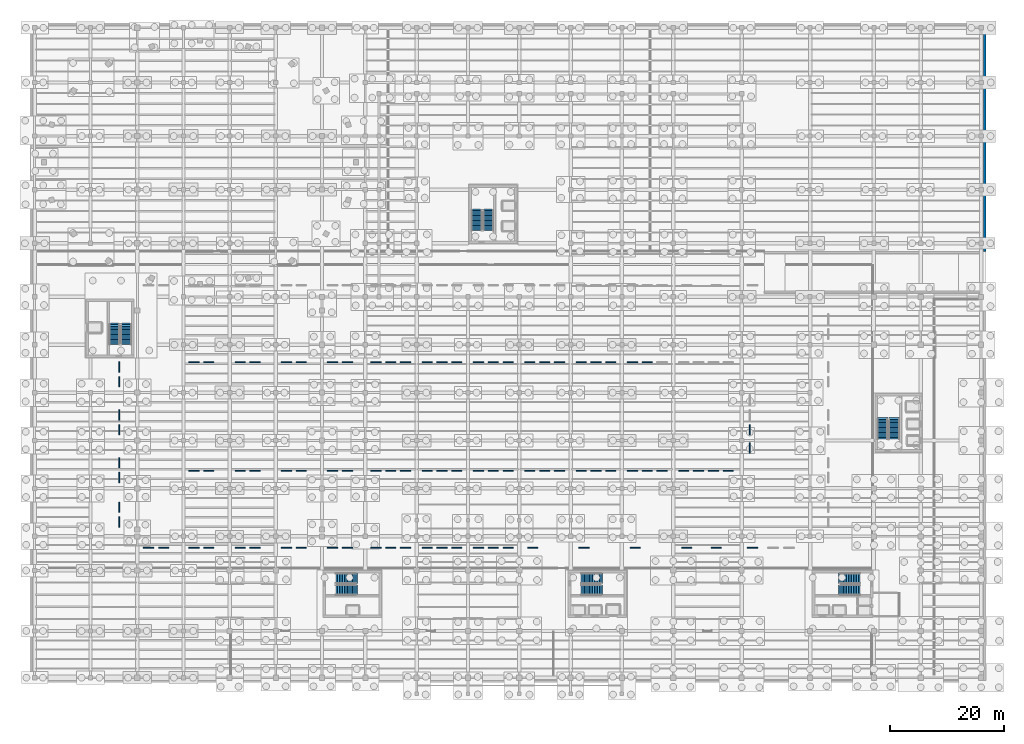
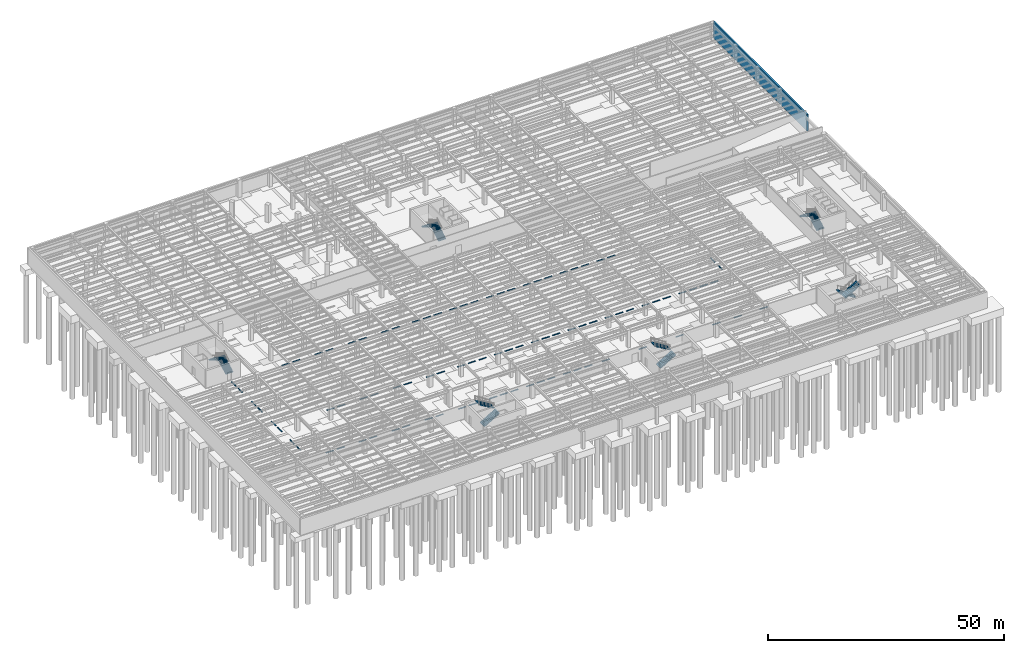
# One storey, part 41 of 49: 90 discrete accessories, 12 stair flights, 1 wall, 6 elements without a shape of their own.
"""IFC4 building model written with IfcOpenShell, lengths in metres."""

import ifcopenshell
import ifcopenshell.guid

model = None  # the IFC model being written
_history = None  # IfcOwnerHistory: only IFC2X3 demands one
_inside = {}  # id of a spatial element -> (the spatial element, [elements in it])
_under = {}  # id of a project, library or spatial element -> (it, [spatial elements below it])
_declared = {}  # id of a project -> (the project, [libraries it declares])
_typed = {}  # id of a type object -> (the type object, [elements of that type])
_made_of = {}  # id of a material, layer set ... -> (it, [elements and type objects made of it])


def new_model(schema):
    """Start an empty IFC model of exactly this schema.

    Asked for "IFC4X3", IfcOpenShell would pick the latest addendum, in which some entities
    have other attributes; the version numbers below select the first issue.
    IFC2X3 requires an IfcOwnerHistory on every rooted entity: one is made here for all.
    """
    global model, _history
    if schema == "IFC4X3":
        model = ifcopenshell.file(schema_version=(4, 3, 0, 0))
    else:
        model = ifcopenshell.file(schema=schema)
    _inside.clear()
    _under.clear()
    _declared.clear()
    _typed.clear()
    _made_of.clear()
    _history = None
    if model.schema == "IFC2X3":
        org = make("IfcOrganization", Name="unknown")
        user = make(
            "IfcPersonAndOrganization",
            ThePerson=make("IfcPerson", FamilyName="unknown"),
            TheOrganization=org,
        )
        app = make(
            "IfcApplication",
            ApplicationDeveloper=org,
            Version="unknown",
            ApplicationFullName="unknown",
            ApplicationIdentifier="unknown",
        )
        _history = make(
            "IfcOwnerHistory",
            OwningUser=user,
            OwningApplication=app,
            ChangeAction="ADDED",
            CreationDate=0,
        )
    return model


def make(cls, **values):
    """One entity of the class cls with the attributes given. An attribute that is None is left unset."""
    return model.create_entity(
        cls, **{name: value for name, value in values.items() if value is not None}
    )


def rooted(cls, **values):
    """An entity with a GlobalId (a new one), such as an element, a storey or a relation."""
    return make(cls, GlobalId=ifcopenshell.guid.new(), OwnerHistory=_history, **values)


def si_unit(unit_type, name, prefix=None):
    """IfcSIUnit, for example si_unit("LENGTHUNIT", "METRE", prefix="MILLI")."""
    return make("IfcSIUnit", UnitType=unit_type, Prefix=prefix, Name=name)


def assignment(units):
    """IfcUnitAssignment: the units of a project."""
    return None if units is None else make("IfcUnitAssignment", Units=units)


def point(xyz):
    """IfcCartesianPoint."""
    return None if xyz is None else make("IfcCartesianPoint", Coordinates=xyz)


def direction(xyz):
    """IfcDirection."""
    return None if xyz is None else make("IfcDirection", DirectionRatios=xyz)


def frame(location, z_axis=None, x_axis=None):
    """IfcAxis2Placement3D, a coordinate frame: its origin and axes. An axis left out is left unset."""
    return make(
        "IfcAxis2Placement3D",
        Location=point(location),
        Axis=direction(z_axis),
        RefDirection=direction(x_axis),
    )


def frame_2d(location, x_axis=None):
    """IfcAxis2Placement2D, a coordinate frame in the plane: its origin and x axis."""
    return make(
        "IfcAxis2Placement2D", Location=point(location), RefDirection=direction(x_axis)
    )


def origin():
    """The frame at (0, 0, 0) with its axes left unset."""
    return frame((0.0, 0.0, 0.0))


def origin_2d():
    """The frame at (0, 0) in the plane with its x axis left unset."""
    return frame_2d((0.0, 0.0))


def place(relative_to, where):
    """IfcLocalPlacement: puts the frame where relative to a parent placement (None: the world)."""
    return make(
        "IfcLocalPlacement", PlacementRelTo=relative_to, RelativePlacement=where
    )


def context(
    kind, dimensions, precision=None, world=None, true_north=None, identifier=None
):
    """IfcGeometricRepresentationContext, for example the 3D "Model" context."""
    return make(
        "IfcGeometricRepresentationContext",
        ContextIdentifier=identifier,
        ContextType=kind,
        CoordinateSpaceDimension=dimensions,
        Precision=precision,
        WorldCoordinateSystem=world,
        TrueNorth=true_north,
    )


def subcontext(parent, identifier, kind, view, scale=None):
    """IfcGeometricRepresentationSubContext, for example "Body" below "Model"."""
    return make(
        "IfcGeometricRepresentationSubContext",
        ContextIdentifier=identifier,
        ContextType=kind,
        ParentContext=parent,
        TargetScale=scale,
        TargetView=view,
    )


def project(units=None, contexts=None):
    """IfcProject with its units and contexts."""
    return rooted(
        "IfcProject",
        Name="project",
        RepresentationContexts=contexts,
        UnitsInContext=assignment(units),
    )


def spatial(cls, under=None, at=None, **own):
    """A site, building, storey or space (cls), placed at a placement, below another one or the project."""
    s = rooted(cls, ObjectPlacement=at, **own)
    if under is not None:
        _under.setdefault(under.id(), (under, []))[1].append(s)
    return s


def polyline(points):
    """IfcPolyline through the points."""
    return make("IfcPolyline", Points=[point(p) for p in points])


def profile(cls, at=None, kind="AREA", **sizes):
    """A parametric profile (cls). Its sizes go by their IFC names, for example OverallWidth=200.0."""
    return make(cls, ProfileType=kind, Position=at, **sizes)


def rectangle(**sizes):
    """IfcRectangleProfileDef."""
    return profile("IfcRectangleProfileDef", **sizes)


def outline(outer, holes=None, kind="AREA"):
    """IfcArbitraryClosedProfileDef: a profile drawn as a closed curve; with holes, ...WithVoids."""
    if holes is None:
        return make("IfcArbitraryClosedProfileDef", ProfileType=kind, OuterCurve=outer)
    return make(
        "IfcArbitraryProfileDefWithVoids",
        ProfileType=kind,
        OuterCurve=outer,
        InnerCurves=holes,
    )


def extrude(swept, where, along, depth):
    """IfcExtrudedAreaSolid: the profile swept, set in the frame where, extruded along a direction by depth."""
    return make(
        "IfcExtrudedAreaSolid",
        SweptArea=swept,
        Position=where,
        ExtrudedDirection=direction(along),
        Depth=depth,
    )


def shape(context_of_items, identifier, shape_type, items):
    """IfcShapeRepresentation: the items that make up one representation, for example the "Body"."""
    return make(
        "IfcShapeRepresentation",
        ContextOfItems=context_of_items,
        RepresentationIdentifier=identifier,
        RepresentationType=shape_type,
        Items=items,
    )


def material(Name=None, Category=None):
    """IfcMaterial."""
    return make("IfcMaterial", Name=Name, Category=Category)


def layer(
    of_material, thickness, ventilated=None, Name=None, Category=None, Priority=None
):
    """IfcMaterialLayer: one layer of a wall or slab, of a material (None: an air gap)."""
    return make(
        "IfcMaterialLayer",
        Material=of_material,
        LayerThickness=thickness,
        IsVentilated=ventilated,
        Name=Name,
        Category=Category,
        Priority=Priority,
    )


def layer_set(layers, Name=None):
    """IfcMaterialLayerSet."""
    return make("IfcMaterialLayerSet", MaterialLayers=layers, LayerSetName=Name)


def made_of(thing, what):
    """Note that an element or type object is made of a material, layer set ...; save() writes the relation."""
    if what is not None:
        _made_of.setdefault(what.id(), (what, []))[1].append(thing)
    return thing


def type_object(cls, material=None, **own):
    """A type object (cls), such as IfcWallType, which elements share."""
    return made_of(rooted(cls, **own), material)


def element(
    cls,
    number,
    at=None,
    inside=None,
    cuts=None,
    type_object=None,
    material=None,
    context=None,
    identifier="Body",
    shape_type=None,
    held_by="IfcProductDefinitionShape",
    body=None,
    shapes=None,
    **own,
):
    """One element of the class cls, such as IfcWall. Its Tag is "e" and its number.

    at: its placement. inside: the storey or other place that contains it. cuts: it is an
    opening in that element (IfcRelVoidsElement). A single representation is given by context,
    identifier, shape_type and body (its items); several are given by shapes. held_by: the class
    of the entity that holds the representations. save() writes the other relations.
    """
    e = rooted(cls, Tag="e%d" % number, ObjectPlacement=at, **own)
    if body is not None:
        shapes = [shape(context, identifier, shape_type, body)]
    if shapes is not None:
        e.Representation = make(held_by, Representations=shapes)
    if inside is not None:
        _inside.setdefault(inside.id(), (inside, []))[1].append(e)
    if cuts is not None:
        rooted(
            "IfcRelVoidsElement", RelatingBuildingElement=cuts, RelatedOpeningElement=e
        )
    if type_object is not None:
        _typed.setdefault(type_object.id(), (type_object, []))[1].append(e)
    return made_of(e, material)


def aggregate(whole, parts):
    """IfcRelAggregates: a whole, such as a stair, and the parts it consists of."""
    return rooted("IfcRelAggregates", RelatingObject=whole, RelatedObjects=parts)


def save(model, path):
    """Write the relations noted so far, then the file.

    IfcRelAggregates (storeys below a building ...), IfcRelContainedInSpatialStructure (elements
    in a storey), IfcRelDefinesByType, IfcRelAssociatesMaterial and IfcRelDeclares: one each for
    every whole, place, type object, material and project.
    """
    for whole, parts in _under.values():
        aggregate(whole, parts)
    for where, things in _inside.values():
        rooted(
            "IfcRelContainedInSpatialStructure",
            RelatedElements=things,
            RelatingStructure=where,
        )
    for kind, things in _typed.values():
        rooted("IfcRelDefinesByType", RelatedObjects=things, RelatingType=kind)
    for what, things in _made_of.values():
        rooted("IfcRelAssociatesMaterial", RelatedObjects=things, RelatingMaterial=what)
    for by, libraries in _declared.values():
        rooted("IfcRelDeclares", RelatingContext=by, RelatedDefinitions=libraries)
    model.write(path)


model = new_model("IFC4")

# Units and contexts
model_context = context("Model", 3, precision=1e-05, world=origin(), true_north=direction((0.0, 1.0)))
body_context = subcontext(model_context, "Body", "Model", "MODEL_VIEW")
ifc_project = project(units=[si_unit("LENGTHUNIT", "METRE"), si_unit("AREAUNIT", "SQUARE_METRE"), si_unit("VOLUMEUNIT", "CUBIC_METRE"), si_unit("PLANEANGLEUNIT", "RADIAN"), si_unit("MASSUNIT", "GRAM", prefix="KILO")], contexts=[model_context])

# Site, building, storey
site_placement = place(None, origin())
site = spatial("IfcSite", under=ifc_project, at=site_placement, CompositionType="ELEMENT")
building_placement = place(site_placement, origin())
building = spatial("IfcBuilding", under=site, at=building_placement, Name="Sollismere Congress Hotel", CompositionType="ELEMENT")
storey_placement = place(building_placement, frame((0.0, 0.0, -4.5)))
storey = spatial("IfcBuildingStorey", under=building, at=storey_placement, Name="B1", CompositionType="ELEMENT", Elevation=-4.5)

# Wall
ifc_material = material(Name="Concrete C40/50", Category="concrete")
ifc_layer = layer(ifc_material, 0.39990234375, Name="Concrete C40/50")
ifc_layer_set = layer_set([ifc_layer], Name="Concrete C40/50")
wall_type = type_object("IfcWallType", Name="WL-RET400", PredefinedType="USERDEFINED", material=ifc_layer_set)
wall_placement = place(storey_placement, frame((166.64990234375, 74.75, 0.0), z_axis=(0.0, 0.0, 1.0), x_axis=(0.0, 1.0, 0.0)))
element("IfcWall", 1, at=wall_placement, inside=storey, type_object=wall_type, Name="Exterior wall EW-B1-005", ObjectType="RETAINING WALL", PredefinedType="USERDEFINED", context=body_context, shape_type="SweptSolid", body=[
    extrude(rectangle(XDim=39.699951171875, YDim=0.39990234375, at=frame_2d((19.85009765625, 0.0))), origin(), (0.0, 0.0, 1.0), 4.235107421875),
])

# Stair, stair flights
stair_type = type_object("IfcStairType", Name="STR-DL-450", PredefinedType="HALF_TURN_STAIR", material=ifc_material)
stair_1_placement = place(storey_placement, origin())
stair_1 = element("IfcStair", 2, at=stair_1_placement, inside=storey, type_object=stair_type, Name="Protected exit stair ST-01-B1", PredefinedType="HALF_TURN_STAIR")
stair_flight_type = type_object("IfcStairFlightType", Name="STF-DL-450", PredefinedType="STRAIGHT", material=ifc_material)
stair_flight_1_placement = place(storey_placement, frame((144.75, 17.425048828125, 0.0), z_axis=(0.0, 0.0, 1.0), x_axis=(-1.0, 0.0, 0.0)))
stair_flight_1 = element("IfcStairFlight", 3, at=stair_flight_1_placement, type_object=stair_flight_type, Name="Exit stair flight ST-01-B1-F1", NumberOfRisers=13, NumberOfTreads=13, PredefinedType="STRAIGHT", RiserHeight=0.173095703125, TreadLength=0.2900390625, context=body_context, shape_type="SweptSolid", body=[
    extrude(outline(polyline([(0.0, 0.0), (0.0, 0.173095703125), (0.2900390625, 0.173095703125), (0.2900390625, 0.34619140625), (0.580078125, 0.34619140625), (0.580078125, 0.519287109375), (0.8701171875, 0.519287109375), (0.8701171875, 0.6923828125), (1.16015625, 0.6923828125), (1.16015625, 0.865478515625), (1.4501953125, 0.865478515625), (1.4501953125, 1.03857421875), (1.740234375, 1.03857421875), (1.740234375, 1.211669921875), (2.0302734375, 1.211669921875), (2.0302734375, 1.384765625), (2.3203125, 1.384765625), (2.3203125, 1.557861328125), (2.6103515625, 1.557861328125), (2.6103515625, 1.73095703125), (2.900390625, 1.73095703125), (2.900390625, 1.904052734375), (3.1904296875, 1.904052734375), (3.1904296875, 2.0771484375), (3.48046875, 2.0771484375), (3.48046875, 2.250244140625), (3.7705078125, 2.250244140625), (3.7705078125, 2.06396484375), (0.31201171875, 0.0), (0.0, 0.0)])), frame((0.0, 0.925048828125, 0.0), z_axis=(0.0, -1.0, 0.0), x_axis=(1.0, 0.0, 0.0)), (0.0, 0.0, 1.0), 1.85009765625),
])
stair_flight_2_placement = place(storey_placement, frame((140.97998046875, 15.375, 2.25), z_axis=(0.0, 0.0, 1.0), x_axis=(1.0, 0.0, 0.0)))
stair_flight_2 = element("IfcStairFlight", 4, at=stair_flight_2_placement, type_object=stair_flight_type, Name="Exit stair flight ST-01-B1-F2", NumberOfRisers=13, NumberOfTreads=13, PredefinedType="STRAIGHT", RiserHeight=0.173095703125, TreadLength=0.2900390625, context=body_context, shape_type="SweptSolid", body=[
    extrude(outline(polyline([(0.0, 0.0), (0.0, 0.173095703125), (0.2900390625, 0.173095703125), (0.2900390625, 0.34619140625), (0.580078125, 0.34619140625), (0.580078125, 0.519287109375), (0.8701171875, 0.519287109375), (0.8701171875, 0.6923828125), (1.16015625, 0.6923828125), (1.16015625, 0.865478515625), (1.4501953125, 0.865478515625), (1.4501953125, 1.03857421875), (1.740234375, 1.03857421875), (1.740234375, 1.211669921875), (2.0302734375, 1.211669921875), (2.0302734375, 1.384765625), (2.3203125, 1.384765625), (2.3203125, 1.557861328125), (2.6103515625, 1.557861328125), (2.6103515625, 1.73095703125), (2.900390625, 1.73095703125), (2.900390625, 1.904052734375), (3.1904296875, 1.904052734375), (3.1904296875, 2.0771484375), (3.48046875, 2.0771484375), (3.48046875, 2.250244140625), (3.7705078125, 2.250244140625), (3.7705078125, 2.06396484375), (0.31201171875, 0.0), (0.0, 0.0)])), frame((0.0, 0.925048828125, 0.0), z_axis=(0.0, -1.0, 0.0), x_axis=(1.0, 0.0, 0.0)), (0.0, 0.0, 1.0), 1.85009765625),
])
aggregate(stair_1, [stair_flight_1, stair_flight_2])

stair_2_placement = place(storey_placement, origin())
stair_2 = element("IfcStair", 5, at=stair_2_placement, inside=storey, type_object=stair_type, Name="Protected exit stair ST-02-B1", PredefinedType="HALF_TURN_STAIR")
stair_flight_3_placement = place(storey_placement, frame((95.85009765625, 15.375, 0.0), z_axis=(0.0, 0.0, 1.0), x_axis=(1.0, 0.0, 0.0)))
stair_flight_3 = element("IfcStairFlight", 6, at=stair_flight_3_placement, type_object=stair_flight_type, Name="Exit stair flight ST-02-B1-F1", NumberOfRisers=13, NumberOfTreads=13, PredefinedType="STRAIGHT", RiserHeight=0.173095703125, TreadLength=0.2900390625, context=body_context, shape_type="SweptSolid", body=[
    extrude(outline(polyline([(0.0, 0.0), (0.0, 0.173095703125), (0.2900390625, 0.173095703125), (0.2900390625, 0.34619140625), (0.580078125, 0.34619140625), (0.580078125, 0.519287109375), (0.8701171875, 0.519287109375), (0.8701171875, 0.6923828125), (1.16015625, 0.6923828125), (1.16015625, 0.865478515625), (1.4501953125, 0.865478515625), (1.4501953125, 1.03857421875), (1.740234375, 1.03857421875), (1.740234375, 1.211669921875), (2.0302734375, 1.211669921875), (2.0302734375, 1.384765625), (2.3203125, 1.384765625), (2.3203125, 1.557861328125), (2.6103515625, 1.557861328125), (2.6103515625, 1.73095703125), (2.900390625, 1.73095703125), (2.900390625, 1.904052734375), (3.1904296875, 1.904052734375), (3.1904296875, 2.0771484375), (3.48046875, 2.0771484375), (3.48046875, 2.250244140625), (3.7705078125, 2.250244140625), (3.7705078125, 2.06396484375), (0.31201171875, 0.0), (0.0, 0.0)])), frame((0.0, 0.925048828125, 0.0), z_axis=(0.0, -1.0, 0.0), x_axis=(1.0, 0.0, 0.0)), (0.0, 0.0, 1.0), 1.85009765625),
])
stair_flight_4_placement = place(storey_placement, frame((99.6201171875, 17.425048828125, 2.25), z_axis=(0.0, 0.0, 1.0), x_axis=(-1.0, 0.0, 0.0)))
stair_flight_4 = element("IfcStairFlight", 7, at=stair_flight_4_placement, type_object=stair_flight_type, Name="Exit stair flight ST-02-B1-F2", NumberOfRisers=13, NumberOfTreads=13, PredefinedType="STRAIGHT", RiserHeight=0.173095703125, TreadLength=0.2900390625, context=body_context, shape_type="SweptSolid", body=[
    extrude(outline(polyline([(0.0, 0.0), (0.0, 0.173095703125), (0.2900390625, 0.173095703125), (0.2900390625, 0.34619140625), (0.580078125, 0.34619140625), (0.580078125, 0.519287109375), (0.8701171875, 0.519287109375), (0.8701171875, 0.6923828125), (1.16015625, 0.6923828125), (1.16015625, 0.865478515625), (1.4501953125, 0.865478515625), (1.4501953125, 1.03857421875), (1.740234375, 1.03857421875), (1.740234375, 1.211669921875), (2.0302734375, 1.211669921875), (2.0302734375, 1.384765625), (2.3203125, 1.384765625), (2.3203125, 1.557861328125), (2.6103515625, 1.557861328125), (2.6103515625, 1.73095703125), (2.900390625, 1.73095703125), (2.900390625, 1.904052734375), (3.1904296875, 1.904052734375), (3.1904296875, 2.0771484375), (3.48046875, 2.0771484375), (3.48046875, 2.250244140625), (3.7705078125, 2.250244140625), (3.7705078125, 2.06396484375), (0.31201171875, 0.0), (0.0, 0.0)])), frame((0.0, 0.925048828125, 0.0), z_axis=(0.0, -1.0, 0.0), x_axis=(1.0, 0.0, 0.0)), (0.0, 0.0, 1.0), 1.85009765625),
])
aggregate(stair_2, [stair_flight_3, stair_flight_4])

stair_3_placement = place(storey_placement, origin())
stair_3 = element("IfcStair", 8, at=stair_3_placement, inside=storey, type_object=stair_type, Name="Protected exit stair ST-03-B1", PredefinedType="HALF_TURN_STAIR")
stair_flight_5_placement = place(storey_placement, frame((150.77490234375, 41.85009765625, 0.0), z_axis=(0.0, 0.0, 1.0), x_axis=(0.0, 1.0, 0.0)))
stair_flight_5 = element("IfcStairFlight", 9, at=stair_flight_5_placement, type_object=stair_flight_type, Name="Exit stair flight ST-03-B1-F1", NumberOfRisers=13, NumberOfTreads=13, PredefinedType="STRAIGHT", RiserHeight=0.173095703125, TreadLength=0.2900390625, context=body_context, shape_type="SweptSolid", body=[
    extrude(outline(polyline([(0.0, 0.0), (0.0, 0.173095703125), (0.2900390625, 0.173095703125), (0.2900390625, 0.34619140625), (0.580078125, 0.34619140625), (0.580078125, 0.519287109375), (0.8701171875, 0.519287109375), (0.8701171875, 0.6923828125), (1.16015625, 0.6923828125), (1.16015625, 0.865478515625), (1.4501953125, 0.865478515625), (1.4501953125, 1.03857421875), (1.740234375, 1.03857421875), (1.740234375, 1.211669921875), (2.0302734375, 1.211669921875), (2.0302734375, 1.384765625), (2.3203125, 1.384765625), (2.3203125, 1.557861328125), (2.6103515625, 1.557861328125), (2.6103515625, 1.73095703125), (2.900390625, 1.73095703125), (2.900390625, 1.904052734375), (3.1904296875, 1.904052734375), (3.1904296875, 2.0771484375), (3.48046875, 2.0771484375), (3.48046875, 2.250244140625), (3.7705078125, 2.250244140625), (3.7705078125, 2.06396484375), (0.31201171875, 0.0), (0.0, 0.0)])), frame((0.0, 0.925048828125, 0.0), z_axis=(0.0, -1.0, 0.0), x_axis=(1.0, 0.0, 0.0)), (0.0, 0.0, 1.0), 1.85009765625),
])
stair_flight_6_placement = place(storey_placement, frame((148.72509765625, 45.6201171875, 2.25), z_axis=(0.0, 0.0, 1.0), x_axis=(0.0, -1.0, 0.0)))
stair_flight_6 = element("IfcStairFlight", 10, at=stair_flight_6_placement, type_object=stair_flight_type, Name="Exit stair flight ST-03-B1-F2", NumberOfRisers=13, NumberOfTreads=13, PredefinedType="STRAIGHT", RiserHeight=0.173095703125, TreadLength=0.2900390625, context=body_context, shape_type="SweptSolid", body=[
    extrude(outline(polyline([(0.0, 0.0), (0.0, 0.173095703125), (0.2900390625, 0.173095703125), (0.2900390625, 0.34619140625), (0.580078125, 0.34619140625), (0.580078125, 0.519287109375), (0.8701171875, 0.519287109375), (0.8701171875, 0.6923828125), (1.16015625, 0.6923828125), (1.16015625, 0.865478515625), (1.4501953125, 0.865478515625), (1.4501953125, 1.03857421875), (1.740234375, 1.03857421875), (1.740234375, 1.211669921875), (2.0302734375, 1.211669921875), (2.0302734375, 1.384765625), (2.3203125, 1.384765625), (2.3203125, 1.557861328125), (2.6103515625, 1.557861328125), (2.6103515625, 1.73095703125), (2.900390625, 1.73095703125), (2.900390625, 1.904052734375), (3.1904296875, 1.904052734375), (3.1904296875, 2.0771484375), (3.48046875, 2.0771484375), (3.48046875, 2.250244140625), (3.7705078125, 2.250244140625), (3.7705078125, 2.06396484375), (0.31201171875, 0.0), (0.0, 0.0)])), frame((0.0, 0.925048828125, 0.0), z_axis=(0.0, -1.0, 0.0), x_axis=(1.0, 0.0, 0.0)), (0.0, 0.0, 1.0), 1.85009765625),
])
aggregate(stair_3, [stair_flight_5, stair_flight_6])

stair_4_placement = place(storey_placement, origin())
stair_4 = element("IfcStair", 11, at=stair_4_placement, inside=storey, type_object=stair_type, Name="Protected exit stair ST-04-B1", PredefinedType="HALF_TURN_STAIR")
stair_flight_7_placement = place(storey_placement, frame((79.574951171875, 78.449951171875, 0.0), z_axis=(0.0, 0.0, 1.0), x_axis=(0.0, 1.0, 0.0)))
stair_flight_7 = element("IfcStairFlight", 12, at=stair_flight_7_placement, type_object=stair_flight_type, Name="Exit stair flight ST-04-B1-F1", NumberOfRisers=13, NumberOfTreads=13, PredefinedType="STRAIGHT", RiserHeight=0.173095703125, TreadLength=0.2900390625, context=body_context, shape_type="SweptSolid", body=[
    extrude(outline(polyline([(0.0, 0.0), (0.0, 0.173095703125), (0.2900390625, 0.173095703125), (0.2900390625, 0.34619140625), (0.580078125, 0.34619140625), (0.580078125, 0.519287109375), (0.8701171875, 0.519287109375), (0.8701171875, 0.6923828125), (1.16015625, 0.6923828125), (1.16015625, 0.865478515625), (1.4501953125, 0.865478515625), (1.4501953125, 1.03857421875), (1.740234375, 1.03857421875), (1.740234375, 1.211669921875), (2.0302734375, 1.211669921875), (2.0302734375, 1.384765625), (2.3203125, 1.384765625), (2.3203125, 1.557861328125), (2.6103515625, 1.557861328125), (2.6103515625, 1.73095703125), (2.900390625, 1.73095703125), (2.900390625, 1.904052734375), (3.1904296875, 1.904052734375), (3.1904296875, 2.0771484375), (3.48046875, 2.0771484375), (3.48046875, 2.250244140625), (3.7705078125, 2.250244140625), (3.7705078125, 2.06396484375), (0.31201171875, 0.0), (0.0, 0.0)])), frame((0.0, 0.925048828125, 0.0), z_axis=(0.0, -1.0, 0.0), x_axis=(1.0, 0.0, 0.0)), (0.0, 0.0, 1.0), 1.85009765625),
])
stair_flight_8_placement = place(storey_placement, frame((77.52490234375, 82.219970703125, 2.25), z_axis=(0.0, 0.0, 1.0), x_axis=(0.0, -1.0, 0.0)))
stair_flight_8 = element("IfcStairFlight", 13, at=stair_flight_8_placement, type_object=stair_flight_type, Name="Exit stair flight ST-04-B1-F2", NumberOfRisers=13, NumberOfTreads=13, PredefinedType="STRAIGHT", RiserHeight=0.173095703125, TreadLength=0.2900390625, context=body_context, shape_type="SweptSolid", body=[
    extrude(outline(polyline([(0.0, 0.0), (0.0, 0.173095703125), (0.2900390625, 0.173095703125), (0.2900390625, 0.34619140625), (0.580078125, 0.34619140625), (0.580078125, 0.519287109375), (0.8701171875, 0.519287109375), (0.8701171875, 0.6923828125), (1.16015625, 0.6923828125), (1.16015625, 0.865478515625), (1.4501953125, 0.865478515625), (1.4501953125, 1.03857421875), (1.740234375, 1.03857421875), (1.740234375, 1.211669921875), (2.0302734375, 1.211669921875), (2.0302734375, 1.384765625), (2.3203125, 1.384765625), (2.3203125, 1.557861328125), (2.6103515625, 1.557861328125), (2.6103515625, 1.73095703125), (2.900390625, 1.73095703125), (2.900390625, 1.904052734375), (3.1904296875, 1.904052734375), (3.1904296875, 2.0771484375), (3.48046875, 2.0771484375), (3.48046875, 2.250244140625), (3.7705078125, 2.250244140625), (3.7705078125, 2.06396484375), (0.31201171875, 0.0), (0.0, 0.0)])), frame((0.0, 0.925048828125, 0.0), z_axis=(0.0, -1.0, 0.0), x_axis=(1.0, 0.0, 0.0)), (0.0, 0.0, 1.0), 1.85009765625),
])
aggregate(stair_4, [stair_flight_7, stair_flight_8])

stair_5_placement = place(storey_placement, origin())
stair_5 = element("IfcStair", 14, at=stair_5_placement, inside=storey, type_object=stair_type, Name="Protected exit stair ST-05-B1", PredefinedType="HALF_TURN_STAIR")
stair_flight_9_placement = place(storey_placement, frame((16.074951171875, 58.449951171875, 0.0), z_axis=(0.0, 0.0, 1.0), x_axis=(0.0, 1.0, 0.0)))
stair_flight_9 = element("IfcStairFlight", 15, at=stair_flight_9_placement, type_object=stair_flight_type, Name="Exit stair flight ST-05-B1-F1", NumberOfRisers=13, NumberOfTreads=13, PredefinedType="STRAIGHT", RiserHeight=0.173095703125, TreadLength=0.2900390625, context=body_context, shape_type="SweptSolid", body=[
    extrude(outline(polyline([(0.0, 0.0), (0.0, 0.173095703125), (0.2900390625, 0.173095703125), (0.2900390625, 0.34619140625), (0.580078125, 0.34619140625), (0.580078125, 0.519287109375), (0.8701171875, 0.519287109375), (0.8701171875, 0.6923828125), (1.16015625, 0.6923828125), (1.16015625, 0.865478515625), (1.4501953125, 0.865478515625), (1.4501953125, 1.03857421875), (1.740234375, 1.03857421875), (1.740234375, 1.211669921875), (2.0302734375, 1.211669921875), (2.0302734375, 1.384765625), (2.3203125, 1.384765625), (2.3203125, 1.557861328125), (2.6103515625, 1.557861328125), (2.6103515625, 1.73095703125), (2.900390625, 1.73095703125), (2.900390625, 1.904052734375), (3.1904296875, 1.904052734375), (3.1904296875, 2.0771484375), (3.48046875, 2.0771484375), (3.48046875, 2.250244140625), (3.7705078125, 2.250244140625), (3.7705078125, 2.06396484375), (0.31201171875, 0.0), (0.0, 0.0)])), frame((0.0, 0.925048828125, 0.0), z_axis=(0.0, -1.0, 0.0), x_axis=(1.0, 0.0, 0.0)), (0.0, 0.0, 1.0), 1.85009765625),
])
stair_flight_10_placement = place(storey_placement, frame((14.02490234375, 62.219970703125, 2.25), z_axis=(0.0, 0.0, 1.0), x_axis=(0.0, -1.0, 0.0)))
stair_flight_10 = element("IfcStairFlight", 16, at=stair_flight_10_placement, type_object=stair_flight_type, Name="Exit stair flight ST-05-B1-F2", NumberOfRisers=13, NumberOfTreads=13, PredefinedType="STRAIGHT", RiserHeight=0.173095703125, TreadLength=0.2900390625, context=body_context, shape_type="SweptSolid", body=[
    extrude(outline(polyline([(0.0, 0.0), (0.0, 0.173095703125), (0.2900390625, 0.173095703125), (0.2900390625, 0.34619140625), (0.580078125, 0.34619140625), (0.580078125, 0.519287109375), (0.8701171875, 0.519287109375), (0.8701171875, 0.6923828125), (1.16015625, 0.6923828125), (1.16015625, 0.865478515625), (1.4501953125, 0.865478515625), (1.4501953125, 1.03857421875), (1.740234375, 1.03857421875), (1.740234375, 1.211669921875), (2.0302734375, 1.211669921875), (2.0302734375, 1.384765625), (2.3203125, 1.384765625), (2.3203125, 1.557861328125), (2.6103515625, 1.557861328125), (2.6103515625, 1.73095703125), (2.900390625, 1.73095703125), (2.900390625, 1.904052734375), (3.1904296875, 1.904052734375), (3.1904296875, 2.0771484375), (3.48046875, 2.0771484375), (3.48046875, 2.250244140625), (3.7705078125, 2.250244140625), (3.7705078125, 2.06396484375), (0.31201171875, 0.0), (0.0, 0.0)])), frame((0.0, 0.925048828125, 0.0), z_axis=(0.0, -1.0, 0.0), x_axis=(1.0, 0.0, 0.0)), (0.0, 0.0, 1.0), 1.85009765625),
])
aggregate(stair_5, [stair_flight_9, stair_flight_10])

stair_6_placement = place(storey_placement, origin())
stair_6 = element("IfcStair", 17, at=stair_6_placement, inside=storey, type_object=stair_type, Name="Protected exit stair ST-06-B1", PredefinedType="HALF_TURN_STAIR")
stair_flight_11_placement = place(storey_placement, frame((52.85009765625, 15.375, 0.0), z_axis=(0.0, 0.0, 1.0), x_axis=(1.0, 0.0, 0.0)))
stair_flight_11 = element("IfcStairFlight", 18, at=stair_flight_11_placement, type_object=stair_flight_type, Name="Exit stair flight ST-06-B1-F1", NumberOfRisers=13, NumberOfTreads=13, PredefinedType="STRAIGHT", RiserHeight=0.173095703125, TreadLength=0.2900390625, context=body_context, shape_type="SweptSolid", body=[
    extrude(outline(polyline([(0.0, 0.0), (0.0, 0.173095703125), (0.2900390625, 0.173095703125), (0.2900390625, 0.34619140625), (0.580078125, 0.34619140625), (0.580078125, 0.519287109375), (0.8701171875, 0.519287109375), (0.8701171875, 0.6923828125), (1.16015625, 0.6923828125), (1.16015625, 0.865478515625), (1.4501953125, 0.865478515625), (1.4501953125, 1.03857421875), (1.740234375, 1.03857421875), (1.740234375, 1.211669921875), (2.0302734375, 1.211669921875), (2.0302734375, 1.384765625), (2.3203125, 1.384765625), (2.3203125, 1.557861328125), (2.6103515625, 1.557861328125), (2.6103515625, 1.73095703125), (2.900390625, 1.73095703125), (2.900390625, 1.904052734375), (3.1904296875, 1.904052734375), (3.1904296875, 2.0771484375), (3.48046875, 2.0771484375), (3.48046875, 2.250244140625), (3.7705078125, 2.250244140625), (3.7705078125, 2.06396484375), (0.31201171875, 0.0), (0.0, 0.0)])), frame((0.0, 0.925048828125, 0.0), z_axis=(0.0, -1.0, 0.0), x_axis=(1.0, 0.0, 0.0)), (0.0, 0.0, 1.0), 1.85009765625),
])
stair_flight_12_placement = place(storey_placement, frame((56.6201171875, 17.425048828125, 2.25), z_axis=(0.0, 0.0, 1.0), x_axis=(-1.0, 0.0, 0.0)))
stair_flight_12 = element("IfcStairFlight", 19, at=stair_flight_12_placement, type_object=stair_flight_type, Name="Exit stair flight ST-06-B1-F2", NumberOfRisers=13, NumberOfTreads=13, PredefinedType="STRAIGHT", RiserHeight=0.173095703125, TreadLength=0.2900390625, context=body_context, shape_type="SweptSolid", body=[
    extrude(outline(polyline([(0.0, 0.0), (0.0, 0.173095703125), (0.2900390625, 0.173095703125), (0.2900390625, 0.34619140625), (0.580078125, 0.34619140625), (0.580078125, 0.519287109375), (0.8701171875, 0.519287109375), (0.8701171875, 0.6923828125), (1.16015625, 0.6923828125), (1.16015625, 0.865478515625), (1.4501953125, 0.865478515625), (1.4501953125, 1.03857421875), (1.740234375, 1.03857421875), (1.740234375, 1.211669921875), (2.0302734375, 1.211669921875), (2.0302734375, 1.384765625), (2.3203125, 1.384765625), (2.3203125, 1.557861328125), (2.6103515625, 1.557861328125), (2.6103515625, 1.73095703125), (2.900390625, 1.73095703125), (2.900390625, 1.904052734375), (3.1904296875, 1.904052734375), (3.1904296875, 2.0771484375), (3.48046875, 2.0771484375), (3.48046875, 2.250244140625), (3.7705078125, 2.250244140625), (3.7705078125, 2.06396484375), (0.31201171875, 0.0), (0.0, 0.0)])), frame((0.0, 0.925048828125, 0.0), z_axis=(0.0, -1.0, 0.0), x_axis=(1.0, 0.0, 0.0)), (0.0, 0.0, 1.0), 1.85009765625),
])
aggregate(stair_6, [stair_flight_11, stair_flight_12])

# Discrete accessories
discrete_accessory_type = type_object("IfcDiscreteAccessoryType", Name="ACC-WS180", PredefinedType="USERDEFINED", material=ifc_material)
for number, where, z_axis, x_axis, name in (
    (20, (114.35009765625, 22.800048828125, 0.0), (0.0, 0.0, 1.0), (1.0, 0.0, 0.0), "Accessible parking bay wheel stop B1-P001"),
    (21, (119.550048828125, 22.800048828125, 0.0), (0.0, 0.0, 1.0), (1.0, 0.0, 0.0), "Accessible parking bay wheel stop B1-P002"),
    (22, (105.35009765625, 22.800048828125, 0.0), (0.0, 0.0, 1.0), (1.0, 0.0, 0.0), "Accessible parking bay wheel stop B1-P003"),
    (23, (96.35009765625, 22.800048828125, 0.0), (0.0, 0.0, 1.0), (1.0, 0.0, 0.0), "Accessible parking bay wheel stop B1-P004"),
    (24, (87.35009765625, 22.800048828125, 0.0), (0.0, 0.0, 1.0), (1.0, 0.0, 0.0), "Accessible parking bay wheel stop B1-P005"),
    (25, (27.949951171875, 22.800048828125, 0.0), (0.0, 0.0, 1.0), (1.0, 0.0, 0.0), "Parking bay wheel stop B1-P008"),
    (26, (30.550048828125, 22.800048828125, 0.0), (0.0, 0.0, 1.0), (1.0, 0.0, 0.0), "Parking bay wheel stop B1-P009"),
    (27, (36.050048828125, 22.800048828125, 0.0), (0.0, 0.0, 1.0), (1.0, 0.0, 0.0), "Parking bay wheel stop B1-P010"),
    (28, (38.64990234375, 22.800048828125, 0.0), (0.0, 0.0, 1.0), (1.0, 0.0, 0.0), "Parking bay wheel stop B1-P011"),
    (29, (44.14990234375, 22.800048828125, 0.0), (0.0, 0.0, 1.0), (1.0, 0.0, 0.0), "Parking bay wheel stop B1-P012"),
    (30, (46.75, 22.800048828125, 0.0), (0.0, 0.0, 1.0), (1.0, 0.0, 0.0), "Parking bay wheel stop B1-P013"),
    (31, (52.25, 22.800048828125, 0.0), (0.0, 0.0, 1.0), (1.0, 0.0, 0.0), "Parking bay wheel stop B1-P014"),
    (32, (54.85009765625, 22.800048828125, 0.0), (0.0, 0.0, 1.0), (1.0, 0.0, 0.0), "Parking bay wheel stop B1-P015"),
    (33, (59.85009765625, 22.800048828125, 0.0), (0.0, 0.0, 1.0), (1.0, 0.0, 0.0), "Parking bay wheel stop B1-P016"),
    (34, (62.449951171875, 22.800048828125, 0.0), (0.0, 0.0, 1.0), (1.0, 0.0, 0.0), "Parking bay wheel stop B1-P017"),
    (35, (65.050048828125, 22.800048828125, 0.0), (0.0, 0.0, 1.0), (1.0, 0.0, 0.0), "Parking bay wheel stop B1-P018"),
    (36, (68.85009765625, 22.800048828125, 0.0), (0.0, 0.0, 1.0), (1.0, 0.0, 0.0), "Parking bay wheel stop B1-P019"),
    (37, (71.449951171875, 22.800048828125, 0.0), (0.0, 0.0, 1.0), (1.0, 0.0, 0.0), "Parking bay wheel stop B1-P020"),
    (38, (74.050048828125, 22.800048828125, 0.0), (0.0, 0.0, 1.0), (1.0, 0.0, 0.0), "Parking bay wheel stop B1-P021"),
    (39, (77.85009765625, 22.800048828125, 0.0), (0.0, 0.0, 1.0), (1.0, 0.0, 0.0), "Parking bay wheel stop B1-P022"),
    (40, (80.449951171875, 22.800048828125, 0.0), (0.0, 0.0, 1.0), (1.0, 0.0, 0.0), "Parking bay wheel stop B1-P023"),
    (41, (83.050048828125, 22.800048828125, 0.0), (0.0, 0.0, 1.0), (1.0, 0.0, 0.0), "Parking bay wheel stop B1-P024"),
    (42, (27.949951171875, 36.300048828125, 0.0), (0.0, 0.0, 1.0), (1.0, 0.0, 0.0), "Parking bay wheel stop B1-P025"),
    (43, (30.550048828125, 36.300048828125, 0.0), (0.0, 0.0, 1.0), (1.0, 0.0, 0.0), "Parking bay wheel stop B1-P026"),
    (44, (36.050048828125, 36.300048828125, 0.0), (0.0, 0.0, 1.0), (1.0, 0.0, 0.0), "Parking bay wheel stop B1-P027"),
    (45, (38.64990234375, 36.300048828125, 0.0), (0.0, 0.0, 1.0), (1.0, 0.0, 0.0), "Parking bay wheel stop B1-P028"),
    (46, (44.14990234375, 36.300048828125, 0.0), (0.0, 0.0, 1.0), (1.0, 0.0, 0.0), "Parking bay wheel stop B1-P029"),
    (47, (46.75, 36.300048828125, 0.0), (0.0, 0.0, 1.0), (1.0, 0.0, 0.0), "Parking bay wheel stop B1-P030"),
    (48, (52.25, 36.300048828125, 0.0), (0.0, 0.0, 1.0), (1.0, 0.0, 0.0), "Parking bay wheel stop B1-P031"),
    (49, (54.85009765625, 36.300048828125, 0.0), (0.0, 0.0, 1.0), (1.0, 0.0, 0.0), "Parking bay wheel stop B1-P032"),
    (50, (59.85009765625, 36.300048828125, 0.0), (0.0, 0.0, 1.0), (1.0, 0.0, 0.0), "Parking bay wheel stop B1-P033"),
    (51, (62.449951171875, 36.300048828125, 0.0), (0.0, 0.0, 1.0), (1.0, 0.0, 0.0), "Parking bay wheel stop B1-P034"),
    (52, (65.050048828125, 36.300048828125, 0.0), (0.0, 0.0, 1.0), (1.0, 0.0, 0.0), "Parking bay wheel stop B1-P035"),
    (53, (68.85009765625, 36.300048828125, 0.0), (0.0, 0.0, 1.0), (1.0, 0.0, 0.0), "Parking bay wheel stop B1-P036"),
    (54, (71.449951171875, 36.300048828125, 0.0), (0.0, 0.0, 1.0), (1.0, 0.0, 0.0), "Parking bay wheel stop B1-P037"),
    (55, (74.050048828125, 36.300048828125, 0.0), (0.0, 0.0, 1.0), (1.0, 0.0, 0.0), "Parking bay wheel stop B1-P038"),
    (56, (77.85009765625, 36.300048828125, 0.0), (0.0, 0.0, 1.0), (1.0, 0.0, 0.0), "Parking bay wheel stop B1-P039"),
    (57, (80.449951171875, 36.300048828125, 0.0), (0.0, 0.0, 1.0), (1.0, 0.0, 0.0), "Parking bay wheel stop B1-P040"),
    (58, (83.050048828125, 36.300048828125, 0.0), (0.0, 0.0, 1.0), (1.0, 0.0, 0.0), "Parking bay wheel stop B1-P041"),
    (59, (86.85009765625, 36.300048828125, 0.0), (0.0, 0.0, 1.0), (1.0, 0.0, 0.0), "Parking bay wheel stop B1-P042"),
    (60, (89.449951171875, 36.300048828125, 0.0), (0.0, 0.0, 1.0), (1.0, 0.0, 0.0), "Parking bay wheel stop B1-P043"),
    (61, (92.050048828125, 36.300048828125, 0.0), (0.0, 0.0, 1.0), (1.0, 0.0, 0.0), "Parking bay wheel stop B1-P044"),
    (62, (95.85009765625, 36.300048828125, 0.0), (0.0, 0.0, 1.0), (1.0, 0.0, 0.0), "Parking bay wheel stop B1-P045"),
    (63, (98.449951171875, 36.300048828125, 0.0), (0.0, 0.0, 1.0), (1.0, 0.0, 0.0), "Parking bay wheel stop B1-P046"),
    (64, (101.050048828125, 36.300048828125, 0.0), (0.0, 0.0, 1.0), (1.0, 0.0, 0.0), "Parking bay wheel stop B1-P047"),
    (65, (104.85009765625, 36.300048828125, 0.0), (0.0, 0.0, 1.0), (1.0, 0.0, 0.0), "Parking bay wheel stop B1-P048"),
    (66, (107.449951171875, 36.300048828125, 0.0), (0.0, 0.0, 1.0), (1.0, 0.0, 0.0), "Parking bay wheel stop B1-P049"),
    (67, (110.050048828125, 36.300048828125, 0.0), (0.0, 0.0, 1.0), (1.0, 0.0, 0.0), "Parking bay wheel stop B1-P050"),
    (68, (113.85009765625, 36.300048828125, 0.0), (0.0, 0.0, 1.0), (1.0, 0.0, 0.0), "Parking bay wheel stop B1-P051"),
    (69, (116.449951171875, 36.300048828125, 0.0), (0.0, 0.0, 1.0), (1.0, 0.0, 0.0), "Parking bay wheel stop B1-P052"),
    (70, (119.050048828125, 36.300048828125, 0.0), (0.0, 0.0, 1.0), (1.0, 0.0, 0.0), "Parking bay wheel stop B1-P053"),
    (71, (121.64990234375, 36.300048828125, 0.0), (0.0, 0.0, 1.0), (1.0, 0.0, 0.0), "Parking bay wheel stop B1-P054"),
    (72, (27.949951171875, 55.300048828125, 0.0), (0.0, 0.0, 1.0), (1.0, 0.0, 0.0), "Parking bay wheel stop B1-P055"),
    (73, (30.550048828125, 55.300048828125, 0.0), (0.0, 0.0, 1.0), (1.0, 0.0, 0.0), "Parking bay wheel stop B1-P056"),
    (74, (36.050048828125, 55.300048828125, 0.0), (0.0, 0.0, 1.0), (1.0, 0.0, 0.0), "Parking bay wheel stop B1-P057"),
    (75, (38.64990234375, 55.300048828125, 0.0), (0.0, 0.0, 1.0), (1.0, 0.0, 0.0), "Parking bay wheel stop B1-P058"),
    (76, (44.14990234375, 55.300048828125, 0.0), (0.0, 0.0, 1.0), (1.0, 0.0, 0.0), "Parking bay wheel stop B1-P059"),
    (77, (46.75, 55.300048828125, 0.0), (0.0, 0.0, 1.0), (1.0, 0.0, 0.0), "Parking bay wheel stop B1-P060"),
    (78, (52.25, 55.300048828125, 0.0), (0.0, 0.0, 1.0), (1.0, 0.0, 0.0), "Parking bay wheel stop B1-P061"),
    (79, (54.85009765625, 55.300048828125, 0.0), (0.0, 0.0, 1.0), (1.0, 0.0, 0.0), "Parking bay wheel stop B1-P062"),
    (80, (59.85009765625, 55.300048828125, 0.0), (0.0, 0.0, 1.0), (1.0, 0.0, 0.0), "Parking bay wheel stop B1-P063"),
    (81, (62.449951171875, 55.300048828125, 0.0), (0.0, 0.0, 1.0), (1.0, 0.0, 0.0), "Parking bay wheel stop B1-P064"),
    (82, (65.050048828125, 55.300048828125, 0.0), (0.0, 0.0, 1.0), (1.0, 0.0, 0.0), "Parking bay wheel stop B1-P065"),
    (83, (68.85009765625, 55.300048828125, 0.0), (0.0, 0.0, 1.0), (1.0, 0.0, 0.0), "Parking bay wheel stop B1-P066"),
    (84, (71.449951171875, 55.300048828125, 0.0), (0.0, 0.0, 1.0), (1.0, 0.0, 0.0), "Parking bay wheel stop B1-P067"),
    (85, (74.050048828125, 55.300048828125, 0.0), (0.0, 0.0, 1.0), (1.0, 0.0, 0.0), "Parking bay wheel stop B1-P068"),
    (86, (77.85009765625, 55.300048828125, 0.0), (0.0, 0.0, 1.0), (1.0, 0.0, 0.0), "Parking bay wheel stop B1-P069"),
    (87, (80.449951171875, 55.300048828125, 0.0), (0.0, 0.0, 1.0), (1.0, 0.0, 0.0), "Parking bay wheel stop B1-P070"),
    (88, (83.050048828125, 55.300048828125, 0.0), (0.0, 0.0, 1.0), (1.0, 0.0, 0.0), "Parking bay wheel stop B1-P071"),
    (89, (86.85009765625, 55.300048828125, 0.0), (0.0, 0.0, 1.0), (1.0, 0.0, 0.0), "Parking bay wheel stop B1-P072"),
    (90, (89.449951171875, 55.300048828125, 0.0), (0.0, 0.0, 1.0), (1.0, 0.0, 0.0), "Parking bay wheel stop B1-P073"),
    (91, (92.050048828125, 55.300048828125, 0.0), (0.0, 0.0, 1.0), (1.0, 0.0, 0.0), "Parking bay wheel stop B1-P074"),
    (92, (95.85009765625, 55.300048828125, 0.0), (0.0, 0.0, 1.0), (1.0, 0.0, 0.0), "Parking bay wheel stop B1-P075"),
    (93, (98.449951171875, 55.300048828125, 0.0), (0.0, 0.0, 1.0), (1.0, 0.0, 0.0), "Parking bay wheel stop B1-P076"),
    (94, (101.050048828125, 55.300048828125, 0.0), (0.0, 0.0, 1.0), (1.0, 0.0, 0.0), "Parking bay wheel stop B1-P077"),
    (95, (104.85009765625, 55.300048828125, 0.0), (0.0, 0.0, 1.0), (1.0, 0.0, 0.0), "Parking bay wheel stop B1-P078"),
    (96, (107.449951171875, 55.300048828125, 0.0), (0.0, 0.0, 1.0), (1.0, 0.0, 0.0), "Parking bay wheel stop B1-P079"),
):
    element("IfcDiscreteAccessory", number, at=place(storey_placement, frame(where, z_axis=z_axis, x_axis=x_axis)), inside=storey, type_object=discrete_accessory_type, Name=name, ObjectType="WHEEL STOP", PredefinedType="USERDEFINED", context=body_context, shape_type="SweptSolid", body=[
        extrude(rectangle(XDim=1.800048828125, YDim=0.179931640625, at=origin_2d()), origin(), (0.0, 0.0, 1.0), 0.1201171875),
    ])
for number, where, z_axis, x_axis, name in (
    (97, (14.85009765625, 27.300048828125, 0.0), (0.0, 0.0, 1.0), (1.0, 0.0, 0.0), "Parking bay wheel stop B1-P121"),
    (98, (14.85009765625, 29.89990234375, 0.0), (0.0, 0.0, 1.0), (1.0, 0.0, 0.0), "Parking bay wheel stop B1-P122"),
    (99, (14.85009765625, 35.10009765625, 0.0), (0.0, 0.0, 1.0), (1.0, 0.0, 0.0), "Parking bay wheel stop B1-P123"),
    (100, (14.85009765625, 37.699951171875, 0.0), (0.0, 0.0, 1.0), (1.0, 0.0, 0.0), "Parking bay wheel stop B1-P124"),
    (101, (14.85009765625, 43.5, 0.0), (0.0, 0.0, 1.0), (1.0, 0.0, 0.0), "Parking bay wheel stop B1-P125"),
    (102, (14.85009765625, 46.10009765625, 0.0), (0.0, 0.0, 1.0), (1.0, 0.0, 0.0), "Parking bay wheel stop B1-P126"),
    (103, (14.85009765625, 51.89990234375, 0.0), (0.0, 0.0, 1.0), (1.0, 0.0, 0.0), "Parking bay wheel stop B1-P127"),
    (104, (14.85009765625, 54.5, 0.0), (0.0, 0.0, 1.0), (1.0, 0.0, 0.0), "Parking bay wheel stop B1-P128"),
):
    element("IfcDiscreteAccessory", number, at=place(storey_placement, frame(where, z_axis=z_axis, x_axis=x_axis)), inside=storey, type_object=discrete_accessory_type, Name=name, ObjectType="WHEEL STOP", PredefinedType="USERDEFINED", context=body_context, shape_type="SweptSolid", body=[
        extrude(rectangle(XDim=0.179931640625, YDim=1.800048828125, at=origin_2d()), origin(), (0.0, 0.0, 1.0), 0.1201171875),
    ])
for number, where, z_axis, x_axis, name in (
    (105, (125.89990234375, 22.800048828125, 0.0), (0.0, 0.0, 1.0), (1.0, 0.0, 0.0), "Parking bay wheel stop B1-P129"),
    (106, (19.949951171875, 22.800048828125, 0.0), (0.0, 0.0, 1.0), (1.0, 0.0, 0.0), "Parking bay wheel stop B1-P131"),
    (107, (22.64990234375, 22.800048828125, 0.0), (0.0, 0.0, 1.0), (1.0, 0.0, 0.0), "Parking bay wheel stop B1-P133"),
):
    element("IfcDiscreteAccessory", number, at=place(storey_placement, frame(where, z_axis=z_axis, x_axis=x_axis)), inside=storey, type_object=discrete_accessory_type, Name=name, ObjectType="WHEEL STOP", PredefinedType="USERDEFINED", context=body_context, shape_type="SweptSolid", body=[
        extrude(rectangle(XDim=1.800048828125, YDim=0.179931640625, at=origin_2d()), origin(), (0.0, 0.0, 1.0), 0.1201171875),
    ])
for number, where, z_axis, x_axis, name in (
    (108, (125.39990234375, 40.300048828125, 0.0), (0.0, 0.0, 1.0), (1.0, 0.0, 0.0), "Parking bay wheel stop B1-P137"),
    (109, (125.39990234375, 43.5, 0.0), (0.0, 0.0, 1.0), (1.0, 0.0, 0.0), "Parking bay wheel stop B1-P138"),
):
    element("IfcDiscreteAccessory", number, at=place(storey_placement, frame(where, z_axis=z_axis, x_axis=x_axis)), inside=storey, type_object=discrete_accessory_type, Name=name, ObjectType="WHEEL STOP", PredefinedType="USERDEFINED", context=body_context, shape_type="SweptSolid", body=[
        extrude(rectangle(XDim=0.179931640625, YDim=1.800048828125, at=origin_2d()), origin(), (0.0, 0.0, 1.0), 0.1201171875),
    ])

save(model, "model.ifc")
